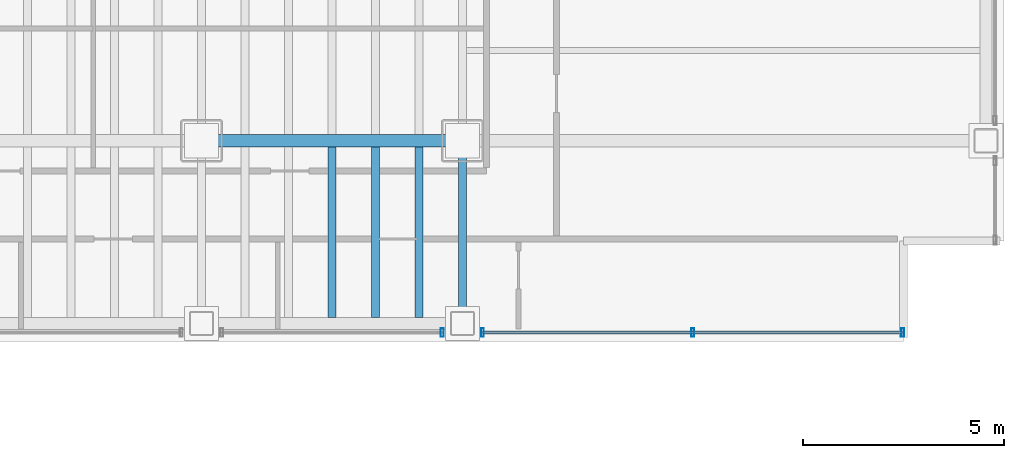
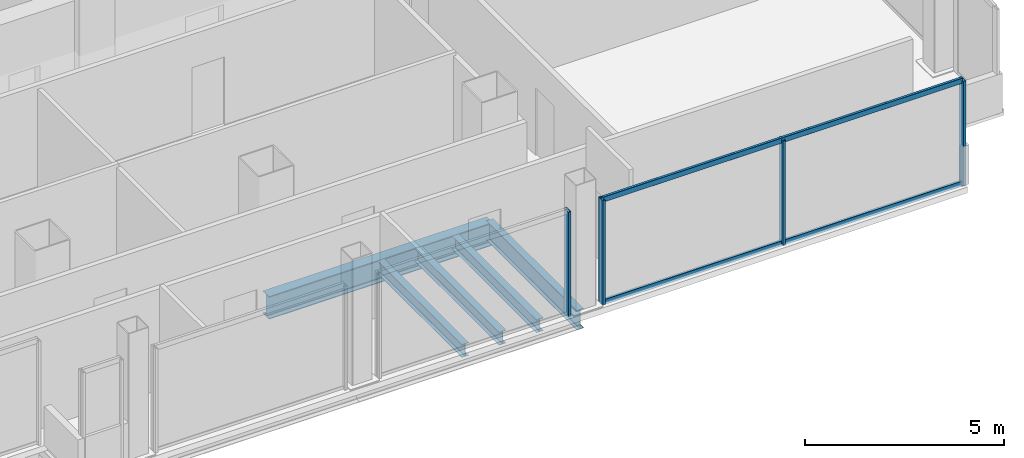
# One storey, part 8 of 20: 6 members, 5 beams, 2 elements without a shape of their own.
"""IFC4 building model written with IfcOpenShell, lengths in metres."""

from ifc_helpers import new_model, si_unit, direction, frame, origin, origin_2d, place, context, subcontext, project, spatial, hollow_rectangle, i_section, extrude, material, material_profile, profile_set, type_object, element, aggregate, save


model = new_model("IFC4")

# Units and contexts
model_context = context("Model", 3, precision=1e-05, world=origin(), true_north=direction((0.0, 1.0)))
body_context = subcontext(model_context, "Body", "Model", "MODEL_VIEW")
ifc_project = project(units=[si_unit("LENGTHUNIT", "METRE"), si_unit("AREAUNIT", "SQUARE_METRE"), si_unit("VOLUMEUNIT", "CUBIC_METRE"), si_unit("PLANEANGLEUNIT", "RADIAN"), si_unit("MASSUNIT", "GRAM", prefix="KILO")], contexts=[model_context])

# Site, building, storey
site_placement = place(None, origin())
site = spatial("IfcSite", under=ifc_project, at=site_placement, CompositionType="ELEMENT")
building_placement = place(site_placement, origin())
building = spatial("IfcBuilding", under=site, at=building_placement, Name="Noeulbin Bourse Tower", CompositionType="ELEMENT")
storey_placement = place(building_placement, frame((0.0, 0.0, 65.5)))
storey = spatial("IfcBuildingStorey", under=building, at=storey_placement, Name="L16", CompositionType="ELEMENT", Elevation=65.5)

# Beams
ifc_material_1 = material(Name="Steel S355", Category="steel")
ifc_material_profile_1 = material_profile(ifc_material_1, i_section(OverallWidth=0.199951171875, OverallDepth=0.60009765625, WebThickness=0.010986328125, FlangeThickness=0.01708984375, FilletRadius=0.02197265625, at=origin_2d()), Name="H-600x200x11x17", Category="LoadBearing")
ifc_profile_set_1 = profile_set([ifc_material_profile_1], Name="Steel S355")
beam_type_1 = type_object("IfcBeamType", Name="BM-GRD-600", PredefinedType="USERDEFINED", material=ifc_profile_set_1)
beam_1_placement = place(storey_placement, frame((44.0, 15.449951171875, -0.47998046875), z_axis=(0.0, 1.0, 0.0), x_axis=(-1.0, 0.0, 0.0)))
element("IfcBeam", 1, at=beam_1_placement, inside=storey, type_object=beam_type_1, Name="Tower Primary Girder NS L16-5.1", ObjectType="GIRDER", PredefinedType="USERDEFINED", context=body_context, shape_type="SweptSolid", body=[
    extrude(i_section(OverallWidth=0.199951171875, OverallDepth=0.60009765625, WebThickness=0.010986328125, FlangeThickness=0.01708984375, FilletRadius=0.02197265625, at=origin_2d()), origin(), (0.0, 0.0, 1.0), 4.550048828125),
])
ifc_material_profile_2 = material_profile(ifc_material_1, i_section(OverallWidth=0.300048828125, OverallDepth=0.699951171875, WebThickness=0.012939453125, FlangeThickness=0.02392578125, FilletRadius=0.02392578125, at=origin_2d()), Name="H-700x300x13x24", Category="LoadBearing")
ifc_profile_set_2 = profile_set([ifc_material_profile_2], Name="Steel S355")
beam_type_2 = type_object("IfcBeamType", Name="BM-GRD-700", PredefinedType="USERDEFINED", material=ifc_profile_set_2)
beam_2_placement = place(storey_placement, frame((37.5, 20.0, -0.530029296875), z_axis=(1.0, 0.0, 0.0), x_axis=(0.0, 1.0, 0.0)))
element("IfcBeam", 2, at=beam_2_placement, inside=storey, type_object=beam_type_2, Name="Tower Primary Girder EW L16-1.5", ObjectType="GIRDER", PredefinedType="USERDEFINED", context=body_context, shape_type="SweptSolid", body=[
    extrude(i_section(OverallWidth=0.300048828125, OverallDepth=0.699951171875, WebThickness=0.012939453125, FlangeThickness=0.02392578125, FilletRadius=0.02392578125, at=origin_2d()), origin(), (0.0, 0.0, 1.0), 6.5),
])
ifc_material_profile_3 = material_profile(ifc_material_1, i_section(OverallWidth=0.199951171875, OverallDepth=0.39990234375, WebThickness=0.008056640625, FlangeThickness=0.012939453125, FilletRadius=0.01611328125, at=origin_2d()), Name="H-400x200x8x13", Category="LoadBearing")
ifc_profile_set_3 = profile_set([ifc_material_profile_3], Name="Steel S355")
beam_type_3 = type_object("IfcBeamType", Name="BM-SEC-400", PredefinedType="BEAM", material=ifc_profile_set_3)
for number, where, z_axis, x_axis, name in (
    (3, (40.75, 15.60009765625, -0.3798828125), (0.0, 1.0, 0.0), (-1.0, 0.0, 0.0), "Tower Composite Joist L16-61"),
    (4, (41.833251953125, 15.60009765625, -0.3798828125), (0.0, 1.0, 0.0), (-1.0, 0.0, 0.0), "Tower Composite Joist L16-64"),
    (5, (42.916748046875, 15.60009765625, -0.3798828125), (0.0, 1.0, 0.0), (-1.0, 0.0, 0.0), "Tower Composite Joist L16-67"),
):
    element("IfcBeam", number, at=place(storey_placement, frame(where, z_axis=z_axis, x_axis=x_axis)), inside=storey, type_object=beam_type_3, Name=name, PredefinedType="BEAM", context=body_context, shape_type="SweptSolid", body=[
        extrude(i_section(OverallWidth=0.199951171875, OverallDepth=0.39990234375, WebThickness=0.008056640625, FlangeThickness=0.012939453125, FilletRadius=0.01611328125, at=origin_2d()), origin(), (0.0, 0.0, 1.0), 4.25),
    ])

# Curtain wall, member
ifc_material_2 = material(Name="Dark Solar-Control Double Glazing", Category="glass")
curtain_wall_type = type_object("IfcCurtainWallType", Name="CW-SYS-2", PredefinedType="NOTDEFINED", material=ifc_material_2)
curtain_wall_1_placement = place(storey_placement, origin())
curtain_wall_1 = element("IfcCurtainWall", 6, at=curtain_wall_1_placement, inside=storey, type_object=curtain_wall_type, Name="Unitised Curtain Wall CW-L16-S3-S3", PredefinedType="NOTDEFINED")
ifc_material_3 = material(Name="Anodised Aluminium 6063-T6", Category="aluminium")
ifc_material_profile_4 = material_profile(ifc_material_3, hollow_rectangle(XDim=0.074951171875, YDim=0.219970703125, WallThickness=0.0048828125, InnerFilletRadius=0.00244140625, OuterFilletRadius=0.0048828125, at=origin_2d()), Name="ALU-MULL-75x220x5", Category="LoadBearing")
ifc_profile_set_4 = profile_set([ifc_material_profile_4], Name="Anodised Aluminium 6063-T6")
member_type_1 = type_object("IfcMemberType", Name="CW-SYS-2-MUL", PredefinedType="MULLION", material=ifc_profile_set_4)
member_1_placement = place(storey_placement, frame((43.5, 15.219970703125, -0.02001953125), z_axis=(0.0, 0.0, 1.0), x_axis=(1.0, 0.0, 0.0)))
member_1 = element("IfcMember", 7, at=member_1_placement, type_object=member_type_1, Name="Curtain Wall Mullion CW-L16-S3-S3-M01", PredefinedType="MULLION", context=body_context, shape_type="SweptSolid", body=[
    extrude(hollow_rectangle(XDim=0.074951171875, YDim=0.219970703125, WallThickness=0.0048828125, InnerFilletRadius=0.00244140625, OuterFilletRadius=0.0048828125, at=origin_2d()), origin(), (0.0, 0.0, 1.0), 3.219970703125),
])
aggregate(curtain_wall_1, [member_1])

# Curtain wall, members
curtain_wall_2_placement = place(storey_placement, origin())
curtain_wall_2 = element("IfcCurtainWall", 8, at=curtain_wall_2_placement, inside=storey, type_object=curtain_wall_type, Name="Unitised Curtain Wall CW-L16-S3-S4", PredefinedType="NOTDEFINED")
member_2_placement = place(storey_placement, frame((44.5, 15.219970703125, -0.02001953125), z_axis=(0.0, 0.0, 1.0), x_axis=(1.0, 0.0, 0.0)))
member_2 = element("IfcMember", 9, at=member_2_placement, type_object=member_type_1, Name="Curtain Wall Mullion CW-L16-S3-S4-M00", PredefinedType="MULLION", context=body_context, shape_type="SweptSolid", body=[
    extrude(hollow_rectangle(XDim=0.074951171875, YDim=0.219970703125, WallThickness=0.0048828125, InnerFilletRadius=0.00244140625, OuterFilletRadius=0.0048828125, at=origin_2d()), origin(), (0.0, 0.0, 1.0), 3.219970703125),
])
member_3_placement = place(storey_placement, frame((49.739990234375, 15.219970703125, -0.02001953125), z_axis=(0.0, 0.0, 1.0), x_axis=(1.0, 0.0, 0.0)))
member_3 = element("IfcMember", 10, at=member_3_placement, type_object=member_type_1, Name="Curtain Wall Mullion CW-L16-S3-S4-M01", PredefinedType="MULLION", context=body_context, shape_type="SweptSolid", body=[
    extrude(hollow_rectangle(XDim=0.074951171875, YDim=0.219970703125, WallThickness=0.0048828125, InnerFilletRadius=0.00244140625, OuterFilletRadius=0.0048828125, at=origin_2d()), origin(), (0.0, 0.0, 1.0), 3.219970703125),
])
member_4_placement = place(storey_placement, frame((54.97998046875, 15.219970703125, -0.02001953125), z_axis=(0.0, 0.0, 1.0), x_axis=(1.0, 0.0, 0.0)))
member_4 = element("IfcMember", 11, at=member_4_placement, type_object=member_type_1, Name="Curtain Wall Mullion CW-L16-S3-S4-M02", PredefinedType="MULLION", context=body_context, shape_type="SweptSolid", body=[
    extrude(hollow_rectangle(XDim=0.074951171875, YDim=0.219970703125, WallThickness=0.0048828125, InnerFilletRadius=0.00244140625, OuterFilletRadius=0.0048828125, at=origin_2d()), origin(), (0.0, 0.0, 1.0), 3.219970703125),
])
ifc_material_profile_5 = material_profile(ifc_material_3, hollow_rectangle(XDim=0.074951171875, YDim=0.159912109375, WallThickness=0.0048828125, InnerFilletRadius=0.00244140625, OuterFilletRadius=0.0048828125, at=origin_2d()), Name="ALU-TRAN-75x160x5", Category="LoadBearing")
ifc_profile_set_5 = profile_set([ifc_material_profile_5], Name="Anodised Aluminium 6063-T6")
member_type_2 = type_object("IfcMemberType", Name="CW-SYS-2-TRN", PredefinedType="USERDEFINED", material=ifc_profile_set_5)
member_5_placement = place(storey_placement, frame((44.510009765625, 15.219970703125, 0.010009765625), z_axis=(1.0, 0.0, 0.0), x_axis=(0.0, 1.0, 0.0)))
member_5 = element("IfcMember", 12, at=member_5_placement, type_object=member_type_2, Name="Curtain Wall Transom CW-L16-S3-S4-T00", ObjectType="TRANSOM", PredefinedType="USERDEFINED", context=body_context, shape_type="SweptSolid", body=[
    extrude(hollow_rectangle(XDim=0.074951171875, YDim=0.159912109375, WallThickness=0.0048828125, InnerFilletRadius=0.00244140625, OuterFilletRadius=0.0048828125, at=origin_2d()), origin(), (0.0, 0.0, 1.0), 10.4599609375),
])
member_6_placement = place(storey_placement, frame((44.510009765625, 15.219970703125, 3.169921875), z_axis=(1.0, 0.0, 0.0), x_axis=(0.0, 1.0, 0.0)))
member_6 = element("IfcMember", 13, at=member_6_placement, type_object=member_type_2, Name="Curtain Wall Transom CW-L16-S3-S4-T01", ObjectType="TRANSOM", PredefinedType="USERDEFINED", context=body_context, shape_type="SweptSolid", body=[
    extrude(hollow_rectangle(XDim=0.074951171875, YDim=0.159912109375, WallThickness=0.0048828125, InnerFilletRadius=0.00244140625, OuterFilletRadius=0.0048828125, at=origin_2d()), origin(), (0.0, 0.0, 1.0), 10.4599609375),
])
aggregate(curtain_wall_2, [member_2, member_3, member_4, member_5, member_6])

save(model, "model.ifc")
